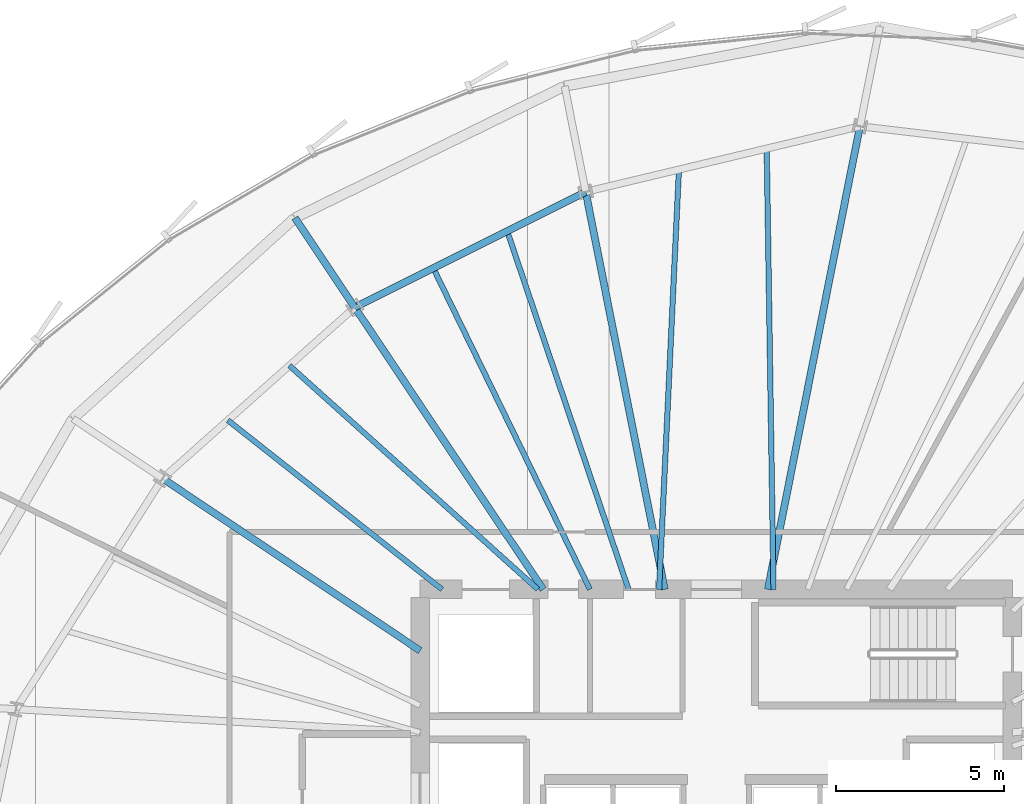
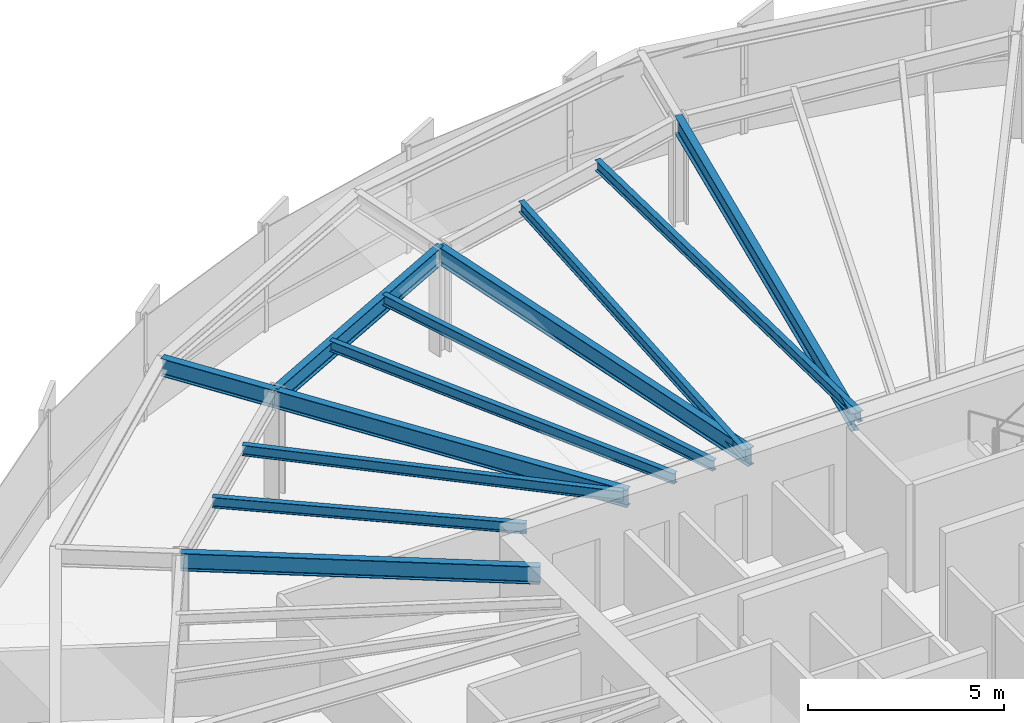
# One storey, part 20 of 35: 12 beams.
"""IFC4 building model written with IfcOpenShell, lengths in metres."""

from ifc_helpers import new_model, si_unit, direction, frame, origin, origin_2d, place, context, subcontext, project, spatial, i_section, extrude, source, transform, mapped, material, material_profile, profile_set, type_object, element, save


model = new_model("IFC4")

# Units and contexts
model_context = context("Model", 3, precision=1e-05, world=origin(), true_north=direction((0.0, 1.0)))
body_context = subcontext(model_context, "Body", "Model", "MODEL_VIEW")
ifc_project = project(units=[si_unit("LENGTHUNIT", "METRE"), si_unit("AREAUNIT", "SQUARE_METRE"), si_unit("VOLUMEUNIT", "CUBIC_METRE"), si_unit("PLANEANGLEUNIT", "RADIAN"), si_unit("MASSUNIT", "GRAM", prefix="KILO"), si_unit("THERMODYNAMICTEMPERATUREUNIT", "KELVIN")], contexts=[model_context])

# Site, building, storey
site_placement = place(None, origin())
site = spatial("IfcSite", under=ifc_project, at=site_placement, CompositionType="ELEMENT")
building_placement = place(site_placement, origin())
building = spatial("IfcBuilding", under=site, at=building_placement, Name="Kethvar Cultural Tower", CompositionType="ELEMENT")
storey_placement = place(building_placement, frame((0.0, 0.0, 107.199951171875)))
storey = spatial("IfcBuildingStorey", under=building, at=storey_placement, Name="L26", CompositionType="ELEMENT", Elevation=107.199951171875)

# Beams
ifc_material = material(Name="Steel S355J2", Category="steel")
ifc_material_profile_1 = material_profile(ifc_material, i_section(OverallWidth=0.2099609375, OverallDepth=0.550048828125, WebThickness=0.010986328125, FlangeThickness=0.01708984375, FilletRadius=0.02392578125, at=origin_2d()), Name="Steel S355J2 — IPE550")
ifc_profile_set_1 = profile_set([ifc_material_profile_1], Name="Steel S355J2 — IPE550")
beam_type_1 = type_object("IfcBeamType", Name="BM-IPE550", PredefinedType="BEAM", material=ifc_profile_set_1)
shared_shape_1 = source(origin(), body_context, "Body", "SweptSolid", [
    extrude(i_section(OverallWidth=0.2099609375, OverallDepth=0.550048828125, WebThickness=0.010986328125, FlangeThickness=0.01708984375, FilletRadius=0.02392578125, at=origin_2d()), origin(), (0.0, 0.0, 1.0), 3.2001953125),
])
beam_1_placement = place(storey_placement, frame((36.0576171875, 43.877197265625, 3.072998046875), z_axis=(-0.555544970406, 0.831486491686, 0.0), x_axis=(-0.831486491686, -0.555544970406, 0.0)))
element("IfcBeam", 1, at=beam_1_placement, inside=storey, type_object=beam_type_1, Name="L26 Perimeter Cantilever Beam RC-06", PredefinedType="BEAM", context=body_context, shape_type="MappedRepresentation", body=[
    mapped(shared_shape_1, transform((0.0, 0.0, 0.0), scale=1.0)),
])
shared_shape_2 = source(origin(), body_context, "Body", "SweptSolid", [
    extrude(i_section(OverallWidth=0.2099609375, OverallDepth=0.550048828125, WebThickness=0.010986328125, FlangeThickness=0.01708984375, FilletRadius=0.02392578125, at=origin_2d()), origin(), (0.0, 0.0, 1.0), 14.02880859375),
])
beam_2_placement = place(storey_placement, frame((48.33154296875, 35.5, 3.072998046875), z_axis=(0.195101986683, 0.980782960085, 0.0), x_axis=(-0.980782960085, 0.195101986683, 0.0)))
element("IfcBeam", 2, at=beam_2_placement, inside=storey, type_object=beam_type_1, Name="L26 Primary Radial Beam RB-04", PredefinedType="BEAM", context=body_context, shape_type="MappedRepresentation", body=[
    mapped(shared_shape_2, transform((0.0, 0.0, 0.0), scale=1.0)),
])
shared_shape_3 = source(origin(), body_context, "Body", "SweptSolid", [
    extrude(i_section(OverallWidth=0.2099609375, OverallDepth=0.550048828125, WebThickness=0.010986328125, FlangeThickness=0.01708984375, FilletRadius=0.02392578125, at=origin_2d()), origin(), (0.0, 0.0, 1.0), 12.042724609375),
])
beam_3_placement = place(storey_placement, frame((45.268310546875, 35.5, 3.072998046875), z_axis=(-0.195086784047, 0.980785984142, 0.0), x_axis=(-0.980785984142, -0.195086784047, 0.0)))
element("IfcBeam", 3, at=beam_3_placement, inside=storey, type_object=beam_type_1, Name="L26 Primary Radial Beam RB-05", PredefinedType="BEAM", context=body_context, shape_type="MappedRepresentation", body=[
    mapped(shared_shape_3, transform((0.0, 0.0, 0.0), scale=1.0)),
])
shared_shape_4 = source(origin(), body_context, "Body", "SweptSolid", [
    extrude(i_section(OverallWidth=0.2099609375, OverallDepth=0.550048828125, WebThickness=0.010986328125, FlangeThickness=0.01708984375, FilletRadius=0.02392578125, at=origin_2d()), origin(), (0.0, 0.0, 1.0), 10.0751953125),
])
beam_4_placement = place(storey_placement, frame((41.655029296875, 35.5, 3.072998046875), z_axis=(-0.555566654614, 0.831472003305, 0.0), x_axis=(-0.831472003305, -0.555566654614, 0.0)))
element("IfcBeam", 4, at=beam_4_placement, inside=storey, type_object=beam_type_1, Name="L26 Primary Radial Beam RB-06", PredefinedType="BEAM", context=body_context, shape_type="MappedRepresentation", body=[
    mapped(shared_shape_4, transform((0.0, 0.0, 0.0), scale=1.0)),
])
shared_shape_5 = source(origin(), body_context, "Body", "SweptSolid", [
    extrude(i_section(OverallWidth=0.2099609375, OverallDepth=0.550048828125, WebThickness=0.010986328125, FlangeThickness=0.01708984375, FilletRadius=0.02392578125, at=origin_2d()), origin(), (0.0, 0.0, 1.0), 9.205322265625),
])
beam_5_placement = place(storey_placement, frame((38.0, 33.679931640625, 3.072998046875), z_axis=(-0.831470451236, 0.555568977465, 0.0), x_axis=(-0.555568977465, -0.831470451236, 0.0)))
element("IfcBeam", 5, at=beam_5_placement, inside=storey, type_object=beam_type_1, Name="L26 Primary Radial Beam RB-07", PredefinedType="BEAM", context=body_context, shape_type="MappedRepresentation", body=[
    mapped(shared_shape_5, transform((0.0, 0.0, 0.0), scale=1.0)),
])
ifc_material_profile_2 = material_profile(ifc_material, i_section(OverallWidth=0.159912109375, OverallDepth=0.330078125, WebThickness=0.007568359375, FlangeThickness=0.011474609375, FilletRadius=0.01806640625, at=origin_2d()), Name="Steel S355J2 — IPE330")
ifc_profile_set_2 = profile_set([ifc_material_profile_2], Name="Steel S355J2 — IPE330")
beam_type_2 = type_object("IfcBeamType", Name="BM-J330", PredefinedType="JOIST", material=ifc_profile_set_2)
shared_shape_6 = source(origin(), body_context, "Body", "SweptSolid", [
    extrude(i_section(OverallWidth=0.159912109375, OverallDepth=0.330078125, WebThickness=0.007568359375, FlangeThickness=0.011474609375, FilletRadius=0.01806640625, at=origin_2d()), origin(), (0.0, 0.0, 1.0), 13.098388671875),
])
beam_6_placement = place(storey_placement, frame((48.5, 35.5, 3.18310546875), z_axis=(-0.015451599057, 0.999880616917, 0.0), x_axis=(-0.999880616917, -0.015451599057, 0.0)))
element("IfcBeam", 6, at=beam_6_placement, inside=storey, type_object=beam_type_2, Name="L26 Composite Floor Joist J-04A", PredefinedType="JOIST", context=body_context, shape_type="MappedRepresentation", body=[
    mapped(shared_shape_6, transform((0.0, 0.0, 0.0), scale=1.0)),
])
shared_shape_7 = source(origin(), body_context, "Body", "SweptSolid", [
    extrude(i_section(OverallWidth=0.159912109375, OverallDepth=0.330078125, WebThickness=0.007568359375, FlangeThickness=0.011474609375, FilletRadius=0.01806640625, at=origin_2d()), origin(), (0.0, 0.0, 1.0), 12.487548828125),
])
beam_7_placement = place(storey_placement, frame((45.10009765625, 35.5, 3.18310546875), z_axis=(0.047214958818, 0.998884751943, 0.0), x_axis=(-0.998884751943, 0.047214958818, 0.0)))
element("IfcBeam", 7, at=beam_7_placement, inside=storey, type_object=beam_type_2, Name="L26 Composite Floor Joist J-04B", PredefinedType="JOIST", context=body_context, shape_type="MappedRepresentation", body=[
    mapped(shared_shape_7, transform((0.0, 0.0, 0.0), scale=1.0)),
])
shared_shape_8 = source(origin(), body_context, "Body", "SweptSolid", [
    extrude(i_section(OverallWidth=0.2099609375, OverallDepth=0.550048828125, WebThickness=0.010986328125, FlangeThickness=0.01708984375, FilletRadius=0.02392578125, at=origin_2d()), origin(), (0.0, 0.0, 1.0), 7.672607421875),
])
beam_8_placement = place(storey_placement, frame((42.9189453125, 47.311279296875, 3.072998046875), z_axis=(-0.894248932057, -0.447569935892, 0.0), x_axis=(0.447569935892, -0.894248932057, 0.0)))
element("IfcBeam", 8, at=beam_8_placement, inside=storey, type_object=beam_type_1, Name="L26 Column Ring Tie Beam CR-05", PredefinedType="BEAM", context=body_context, shape_type="MappedRepresentation", body=[
    mapped(shared_shape_8, transform((0.0, 0.0, 0.0), scale=1.0)),
])
shared_shape_9 = source(origin(), body_context, "Body", "SweptSolid", [
    extrude(i_section(OverallWidth=0.159912109375, OverallDepth=0.330078125, WebThickness=0.007568359375, FlangeThickness=0.011474609375, FilletRadius=0.01806640625, at=origin_2d()), origin(), (0.0, 0.0, 1.0), 11.23779296875),
])
beam_9_placement = place(storey_placement, frame((44.191650390625, 35.5, 3.18310546875), z_axis=(-0.32083186626, 0.94713616423, 0.0), x_axis=(-0.94713616423, -0.32083186626, 0.0)))
element("IfcBeam", 9, at=beam_9_placement, inside=storey, type_object=beam_type_2, Name="L26 Composite Floor Joist J-05A", PredefinedType="JOIST", context=body_context, shape_type="MappedRepresentation", body=[
    mapped(shared_shape_9, transform((0.0, 0.0, 0.0), scale=1.0)),
])
shared_shape_10 = source(origin(), body_context, "Body", "SweptSolid", [
    extrude(i_section(OverallWidth=0.159912109375, OverallDepth=0.330078125, WebThickness=0.007568359375, FlangeThickness=0.011474609375, FilletRadius=0.01806640625, at=origin_2d()), origin(), (0.0, 0.0, 1.0), 10.619384765625),
])
beam_10_placement = place(storey_placement, frame((43.044921875, 35.5, 3.18310546875), z_axis=(-0.438308125028, 0.898824781331, 0.0), x_axis=(-0.898824781331, -0.438308125028, 0.0)))
element("IfcBeam", 10, at=beam_10_placement, inside=storey, type_object=beam_type_2, Name="L26 Composite Floor Joist J-05B", PredefinedType="JOIST", context=body_context, shape_type="MappedRepresentation", body=[
    mapped(shared_shape_10, transform((0.0, 0.0, 0.0), scale=1.0)),
])
shared_shape_11 = source(origin(), body_context, "Body", "SweptSolid", [
    extrude(i_section(OverallWidth=0.159912109375, OverallDepth=0.330078125, WebThickness=0.007568359375, FlangeThickness=0.011474609375, FilletRadius=0.01806640625, at=origin_2d()), origin(), (0.0, 0.0, 1.0), 9.93701171875),
])
beam_11_placement = place(storey_placement, frame((41.5, 35.5, 3.18310546875), z_axis=(-0.743138974967, 0.669137103952, 0.0), x_axis=(-0.669137103952, -0.743138974967, 0.0)))
element("IfcBeam", 11, at=beam_11_placement, inside=storey, type_object=beam_type_2, Name="L26 Composite Floor Joist J-06A", PredefinedType="JOIST", context=body_context, shape_type="MappedRepresentation", body=[
    mapped(shared_shape_11, transform((0.0, 0.0, 0.0), scale=1.0)),
])
shared_shape_12 = source(origin(), body_context, "Body", "SweptSolid", [
    extrude(i_section(OverallWidth=0.159912109375, OverallDepth=0.330078125, WebThickness=0.007568359375, FlangeThickness=0.011474609375, FilletRadius=0.01806640625, at=origin_2d()), origin(), (0.0, 0.0, 1.0), 8.105712890625),
])
beam_12_placement = place(storey_placement, frame((38.64990234375, 35.5, 3.18310546875), z_axis=(-0.784895872164, 0.619627686486, 0.0), x_axis=(-0.619627686486, -0.784895872164, 0.0)))
element("IfcBeam", 12, at=beam_12_placement, inside=storey, type_object=beam_type_2, Name="L26 Composite Floor Joist J-06B", PredefinedType="JOIST", context=body_context, shape_type="MappedRepresentation", body=[
    mapped(shared_shape_12, transform((0.0, 0.0, 0.0), scale=1.0)),
])

save(model, "model.ifc")
